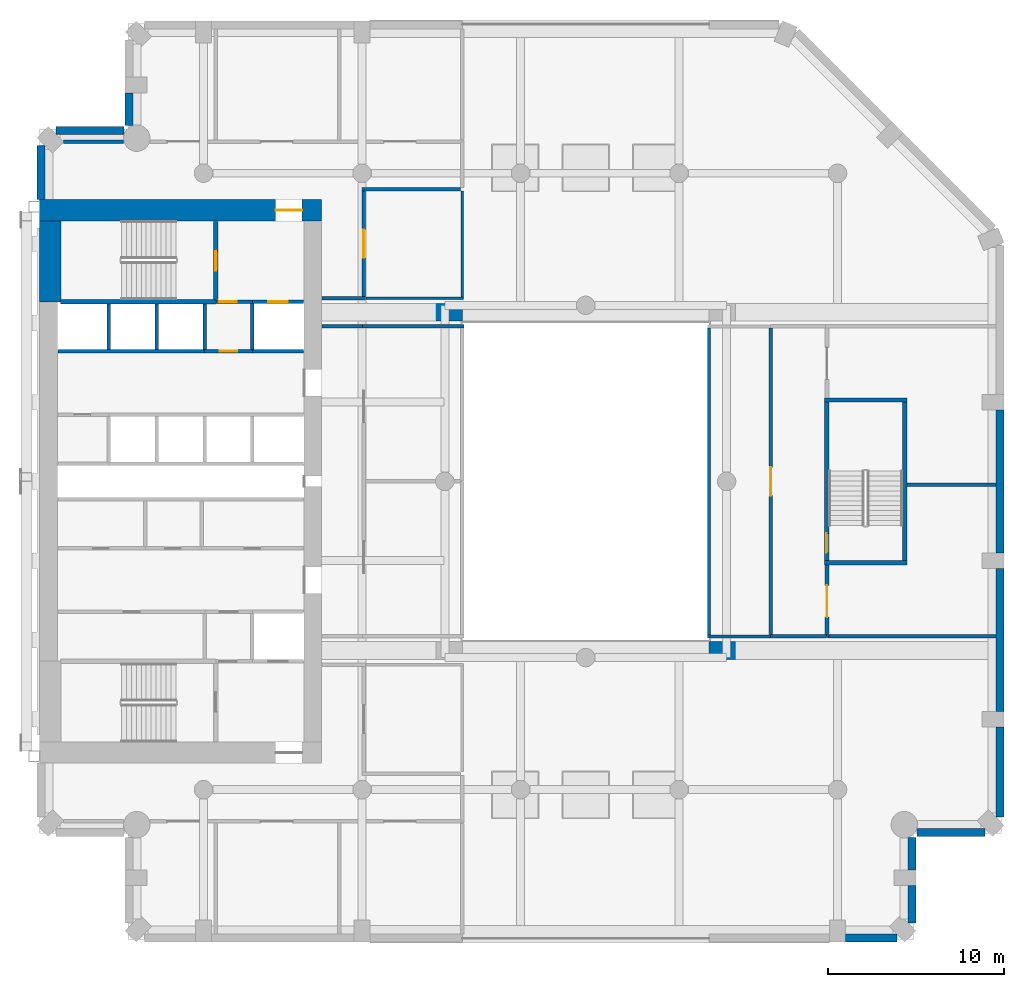
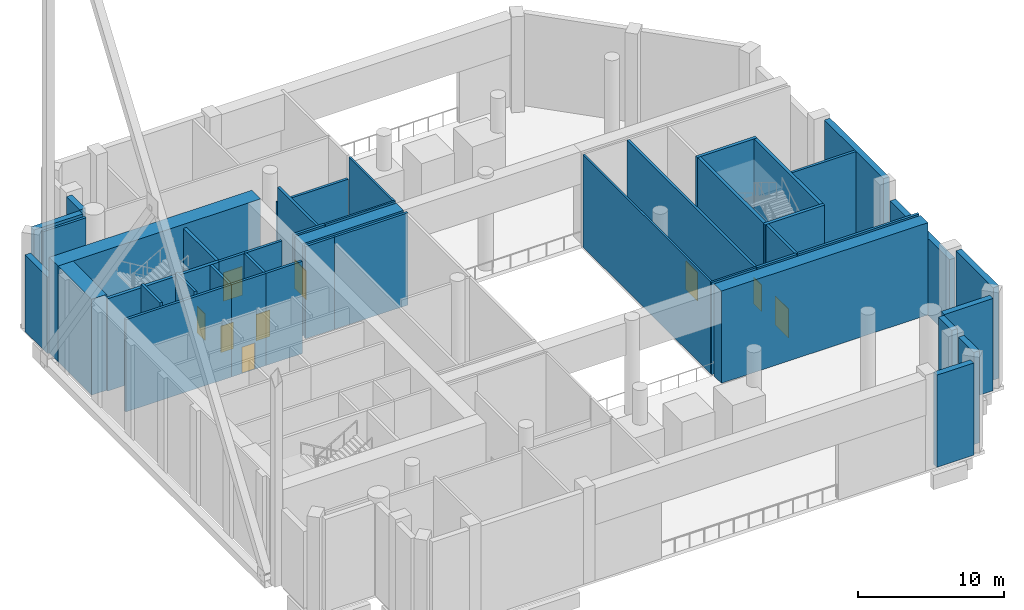
# One storey, part 4 of 14: 44 walls, 9 doors, 9 openings.
"""IFC4 building model written with IfcOpenShell, lengths in metres."""

from ifc_helpers import new_model, si_unit, direction, frame, frame_2d, origin, place, context, subcontext, project, spatial, rectangle, extrude, material, layer, layer_set, type_object, element, fill, save


model = new_model("IFC4")

# Units and contexts
model_context = context("Model", 3, precision=1e-05, world=origin(), true_north=direction((0.0, 1.0)))
body_context = subcontext(model_context, "Body", "Model", "MODEL_VIEW")
ifc_project = project(units=[si_unit("LENGTHUNIT", "METRE"), si_unit("AREAUNIT", "SQUARE_METRE"), si_unit("VOLUMEUNIT", "CUBIC_METRE"), si_unit("PLANEANGLEUNIT", "RADIAN"), si_unit("MASSUNIT", "GRAM", prefix="KILO")], contexts=[model_context])

# Site, building, storey
site_placement = place(None, origin())
site = spatial("IfcSite", under=ifc_project, at=site_placement, CompositionType="ELEMENT")
building_placement = place(site_placement, origin())
building = spatial("IfcBuilding", under=site, at=building_placement, Name="Cypress Arch Tower", CompositionType="ELEMENT")
storey_placement = place(building_placement, frame((0.0, 0.0, 152.5)))
storey = spatial("IfcBuildingStorey", under=building, at=storey_placement, Name="L33", CompositionType="ELEMENT", Elevation=152.5)

# Walls
ifc_material_1 = material(Name="Brick (red buff blend)", Category="masonry")
ifc_layer_1 = layer(ifc_material_1, 0.449951171875)
ifc_layer_set_1 = layer_set([ifc_layer_1], Name="Brick belt wall BW450-B")
wall_type_1 = type_object("IfcWallType", Name="Brick belt wall BW450-B", PredefinedType="SOLIDWALL", material=ifc_layer_set_1)
wall_1_placement = place(storey_placement, frame((-29.925048828125, 19.063720703125, 0.0), z_axis=(0.0, 0.0, 1.0), x_axis=(0.0, -1.0, 0.0)))
element("IfcWall", 1, at=wall_1_placement, inside=storey, type_object=wall_type_1, Name="Brick wall L33 A00.0", PredefinedType="SOLIDWALL", context=body_context, shape_type="SweptSolid", body=[
    extrude(rectangle(XDim=3.063720703125, YDim=0.449951171875, at=frame_2d((1.53173828125, 0.0))), origin(), (0.0, 0.0, 1.0), 6.39990234375),
])
wall_2_placement = place(storey_placement, frame((15.75, -25.925048828125, 0.0), z_axis=(0.0, 0.0, 1.0), x_axis=(1.0, 0.0, 0.0)))
element("IfcWall", 2, at=wall_2_placement, inside=storey, type_object=wall_type_1, Name="Brick wall L33 A03.5", PredefinedType="SOLIDWALL", context=body_context, shape_type="SweptSolid", body=[
    extrude(rectangle(XDim=2.91357421875, YDim=0.449951171875, at=frame_2d((1.456787109375, 0.0))), origin(), (0.0, 0.0, 1.0), 7.699951171875),
])
wall_3_placement = place(storey_placement, frame((19.52490234375, -25.063720703125, 0.0), z_axis=(0.0, 0.0, 1.0), x_axis=(0.0, 1.0, 0.0)))
element("IfcWall", 3, at=wall_3_placement, inside=storey, type_object=wall_type_1, Name="Brick wall L33 A04.0", PredefinedType="SOLIDWALL", context=body_context, shape_type="SweptSolid", body=[
    extrude(rectangle(XDim=2.11376953125, YDim=0.449951171875, at=frame_2d((1.056884765625, 0.0))), origin(), (0.0, 0.0, 1.0), 7.699951171875),
])
wall_4_placement = place(storey_placement, frame((19.52490234375, -22.050048828125, 0.0), z_axis=(0.0, 0.0, 1.0), x_axis=(0.0, 1.0, 0.0)))
element("IfcWall", 4, at=wall_4_placement, inside=storey, type_object=wall_type_1, Name="Brick wall L33 A04.1", PredefinedType="SOLIDWALL", context=body_context, shape_type="SweptSolid", body=[
    extrude(rectangle(XDim=1.843017578125, YDim=0.449951171875, at=frame_2d((0.92138671875, 0.0))), origin(), (0.0, 0.0, 1.0), 7.699951171875),
])
wall_5_placement = place(storey_placement, frame((19.806884765625, -19.925048828125, 0.0), z_axis=(0.0, 0.0, 1.0), x_axis=(1.0, 0.0, 0.0)))
element("IfcWall", 5, at=wall_5_placement, inside=storey, type_object=wall_type_1, Name="Brick wall L33 A05.0", PredefinedType="SOLIDWALL", context=body_context, shape_type="SweptSolid", body=[
    extrude(rectangle(XDim=3.856689453125, YDim=0.449951171875, at=frame_2d((1.92822265625, 0.0))), origin(), (0.0, 0.0, 1.0), 7.699951171875),
])
wall_6_placement = place(storey_placement, frame((24.52490234375, -19.063720703125, 0.0), z_axis=(0.0, 0.0, 1.0), x_axis=(0.0, 1.0, 0.0)))
element("IfcWall", 6, at=wall_6_placement, inside=storey, type_object=wall_type_1, Name="Brick wall L33 A06.0", PredefinedType="SOLIDWALL", context=body_context, shape_type="SweptSolid", body=[
    extrude(rectangle(XDim=5.11376953125, YDim=0.449951171875, at=frame_2d((2.556884765625, 0.0))), origin(), (0.0, 0.0, 1.0), 7.699951171875),
])
wall_7_placement = place(storey_placement, frame((24.52490234375, -13.050048828125, 0.0), z_axis=(0.0, 0.0, 1.0), x_axis=(0.0, 1.0, 0.0)))
element("IfcWall", 7, at=wall_7_placement, inside=storey, type_object=wall_type_1, Name="Brick wall L33 A06.1", PredefinedType="SOLIDWALL", context=body_context, shape_type="SweptSolid", body=[
    extrude(rectangle(XDim=8.10009765625, YDim=0.449951171875, at=frame_2d((4.050048828125, 0.0))), origin(), (0.0, 0.0, 1.0), 6.39990234375),
])
wall_8_placement = place(storey_placement, frame((24.52490234375, -4.050048828125, 0.0), z_axis=(0.0, 0.0, 1.0), x_axis=(0.0, 1.0, 0.0)))
element("IfcWall", 8, at=wall_8_placement, inside=storey, type_object=wall_type_1, Name="Brick wall L33 A06.2", PredefinedType="SOLIDWALL", context=body_context, shape_type="SweptSolid", body=[
    extrude(rectangle(XDim=8.10009765625, YDim=0.449951171875, at=frame_2d((4.050048828125, 0.0))), origin(), (0.0, 0.0, 1.0), 7.699951171875),
])
wall_9_placement = place(storey_placement, frame((-24.925048828125, 22.050048828125, 0.0), z_axis=(0.0, 0.0, 1.0), x_axis=(0.0, -1.0, 0.0)))
element("IfcWall", 9, at=wall_9_placement, inside=storey, type_object=wall_type_1, Name="Brick wall L33 A09.1", PredefinedType="SOLIDWALL", context=body_context, shape_type="SweptSolid", body=[
    extrude(rectangle(XDim=1.843017578125, YDim=0.449951171875, at=frame_2d((0.92138671875, 0.0))), origin(), (0.0, 0.0, 1.0), 7.699951171875),
])
wall_10_placement = place(storey_placement, frame((-25.20703125, 19.925048828125, 0.0), z_axis=(0.0, 0.0, 1.0), x_axis=(-1.0, 0.0, 0.0)))
element("IfcWall", 10, at=wall_10_placement, inside=storey, type_object=wall_type_1, Name="Brick wall L33 A10.0", PredefinedType="SOLIDWALL", context=body_context, shape_type="SweptSolid", body=[
    extrude(rectangle(XDim=3.856689453125, YDim=0.449951171875, at=frame_2d((1.92822265625, 0.0))), origin(), (0.0, 0.0, 1.0), 7.699951171875),
])

# Wall, opening, door
ifc_material_2 = material(Name="Concrete C80/95", Category="concrete")
ifc_layer_2 = layer(ifc_material_2, 1.199951171875)
ifc_layer_set_2 = layer_set([ifc_layer_2], Name="Core wall CW1200 C80/95")
wall_type_2 = type_object("IfcWallType", Name="Core wall CW1200 C80/95", PredefinedType="SHEAR", material=ifc_layer_set_2)
wall_11_placement = place(storey_placement, frame((-30.0, 15.39990234375, 0.0), z_axis=(0.0, 0.0, 1.0), x_axis=(1.0, 0.0, 0.0)))
wall_11 = element("IfcWall", 11, at=wall_11_placement, inside=storey, type_object=wall_type_2, Name="Core wall", PredefinedType="SHEAR", context=body_context, shape_type="SweptSolid", body=[
    extrude(rectangle(XDim=16.0, YDim=1.199951171875, at=frame_2d((8.0, 0.0))), origin(), (0.0, 0.0, 1.0), 8.0),
])
opening_1_placement = place(wall_11_placement, frame((13.39990234375, 0.0, 0.0)))
opening_1 = element("IfcOpeningElement", 12, at=opening_1_placement, cuts=wall_11, Name="Opening D07", PredefinedType="OPENING", context=body_context, shape_type="SweptSolid", body=[
    extrude(rectangle(XDim=1.5, YDim=2.39990234375, at=frame_2d((0.75, 1.199951171875))), frame((0.0, 0.60986328125, 0.0), z_axis=(0.0, -1.0, 0.0), x_axis=(1.0, 0.0, 0.0)), (0.0, 0.0, 1.0), 1.219970703125),
])
ifc_material_3 = material(Name="Steel framed glazed door, fire resisting", Category="steel")
door_type_1 = type_object("IfcDoorType", Name="Lobby door D07 1500x2400", OperationType="DOUBLE_DOOR_SINGLE_SWING", PredefinedType="DOOR", material=ifc_material_3)
door_1_placement = place(opening_1_placement, origin())
door_1 = element("IfcDoor", 13, at=door_1_placement, inside=storey, type_object=door_type_1, Name="Lobby door", OperationType="DOUBLE_DOOR_SINGLE_SWING", OverallHeight=2.39990234375, OverallWidth=1.5, PredefinedType="DOOR", context=body_context, shape_type="SweptSolid", body=[
    extrude(rectangle(XDim=1.5, YDim=2.39990234375, at=frame_2d((0.75, 1.199951171875))), frame((0.0, 0.02490234375, 0.0), z_axis=(0.0, -1.0, 0.0), x_axis=(1.0, 0.0, 0.0)), (0.0, 0.0, 1.0), 0.050048828125),
])
fill(opening_1, door_1)

# Wall
wall_12_placement = place(storey_placement, frame((-29.39990234375, 10.199951171875, 0.0), z_axis=(0.0, 0.0, 1.0), x_axis=(0.0, 1.0, 0.0)))
element("IfcWall", 14, at=wall_12_placement, inside=storey, type_object=wall_type_2, Name="Core wall", PredefinedType="SHEAR", context=body_context, shape_type="SweptSolid", body=[
    extrude(rectangle(XDim=4.60009765625, YDim=1.199951171875, at=frame_2d((2.300048828125, 0.0))), origin(), (0.0, 0.0, 1.0), 8.0),
])

# Wall, opening, door
ifc_material_4 = material(Name="Concrete blockwork, plastered, rated", Category="masonry")
ifc_layer_3 = layer(ifc_material_4, 0.199951171875)
ifc_layer_set_3 = layer_set([ifc_layer_3], Name="Corridor wall FW200")
wall_type_3 = type_object("IfcWallType", Name="Corridor wall FW200", PredefinedType="PARTITIONING", material=ifc_layer_set_3)
wall_13_placement = place(storey_placement, frame((-20.639892578125, 7.39990234375, 0.0), z_axis=(0.0, 0.0, 1.0), x_axis=(1.0, 0.0, 0.0)))
wall_13 = element("IfcWall", 15, at=wall_13_placement, inside=storey, type_object=wall_type_3, Name="Corridor wall", PredefinedType="PARTITIONING", context=body_context, shape_type="SweptSolid", body=[
    extrude(rectangle(XDim=2.719970703125, YDim=0.199951171875, at=frame_2d((1.35986328125, 0.0))), origin(), (0.0, 0.0, 1.0), 7.699951171875),
])
opening_2_placement = place(wall_13_placement, frame((0.85009765625, 0.0, 0.0)))
opening_2 = element("IfcOpeningElement", 16, at=opening_2_placement, cuts=wall_13, Name="Opening D16", PredefinedType="OPENING", context=body_context, shape_type="SweptSolid", body=[
    extrude(rectangle(XDim=1.0, YDim=2.199951171875, at=frame_2d((0.5, 1.10009765625))), frame((0.0, 0.10986328125, 0.0), z_axis=(0.0, -1.0, 0.0), x_axis=(1.0, 0.0, 0.0)), (0.0, 0.0, 1.0), 0.219970703125),
])
ifc_material_5 = material(Name="Timber flush door", Category="wood")
door_type_2 = type_object("IfcDoorType", Name="Service door D16 1000x2200", OperationType="SINGLE_SWING_LEFT", PredefinedType="DOOR", material=ifc_material_5)
door_2_placement = place(opening_2_placement, origin())
door_2 = element("IfcDoor", 17, at=door_2_placement, inside=storey, type_object=door_type_2, Name="Service door", OperationType="SINGLE_SWING_RIGHT", OverallHeight=2.199951171875, OverallWidth=1.0, PredefinedType="DOOR", context=body_context, shape_type="SweptSolid", body=[
    extrude(rectangle(XDim=1.0, YDim=2.199951171875, at=frame_2d((0.5, 1.10009765625))), frame((0.0, 0.02490234375, 0.0), z_axis=(0.0, -1.0, 0.0), x_axis=(1.0, 0.0, 0.0)), (0.0, 0.0, 1.0), 0.050048828125),
])
fill(opening_2, door_2)

wall_14_placement = place(storey_placement, frame((-20.0, 10.199951171875, 0.0), z_axis=(0.0, 0.0, 1.0), x_axis=(1.0, 0.0, 0.0)))
wall_14 = element("IfcWall", 18, at=wall_14_placement, inside=storey, type_object=wall_type_3, Name="Corridor wall", PredefinedType="PARTITIONING", context=body_context, shape_type="SweptSolid", body=[
    extrude(rectangle(XDim=2.080078125, YDim=0.199951171875, at=frame_2d((1.0400390625, 0.0))), origin(), (0.0, 0.0, 1.0), 7.699951171875),
])
opening_3_placement = place(wall_14_placement, frame((0.199951171875, 0.0, 0.0)))
opening_3 = element("IfcOpeningElement", 19, at=opening_3_placement, cuts=wall_14, Name="Opening D16", PredefinedType="OPENING", context=body_context, shape_type="SweptSolid", body=[
    extrude(rectangle(XDim=1.0, YDim=2.199951171875, at=frame_2d((0.5, 1.10009765625))), frame((0.0, 0.10986328125, 0.0), z_axis=(0.0, -1.0, 0.0), x_axis=(1.0, 0.0, 0.0)), (0.0, 0.0, 1.0), 0.219970703125),
])
door_3_placement = place(opening_3_placement, origin())
door_3 = element("IfcDoor", 20, at=door_3_placement, inside=storey, type_object=door_type_2, Name="Service door", OperationType="SINGLE_SWING_LEFT", OverallHeight=2.199951171875, OverallWidth=1.0, PredefinedType="DOOR", context=body_context, shape_type="SweptSolid", body=[
    extrude(rectangle(XDim=1.0, YDim=2.199951171875, at=frame_2d((0.5, 1.10009765625))), frame((0.0, 0.02490234375, 0.0), z_axis=(0.0, -1.0, 0.0), x_axis=(1.0, 0.0, 0.0)), (0.0, 0.0, 1.0), 0.050048828125),
])
fill(opening_3, door_3)

# Walls
wall_15_placement = place(storey_placement, frame((-13.969970703125, 8.800048828125, 0.0), z_axis=(0.0, 0.0, 1.0), x_axis=(1.0, 0.0, 0.0)))
element("IfcWall", 21, at=wall_15_placement, inside=storey, type_object=wall_type_3, Name="Corridor wall", PredefinedType="PARTITIONING", context=body_context, shape_type="SweptSolid", body=[
    extrude(rectangle(XDim=2.2900390625, YDim=0.199951171875, at=frame_2d((1.14501953125, 0.0))), origin(), (0.0, 0.0, 1.0), 7.699951171875),
])
wall_16_placement = place(storey_placement, frame((-13.969970703125, 10.39990234375, 0.0), z_axis=(0.0, 0.0, 1.0), x_axis=(1.0, 0.0, 0.0)))
element("IfcWall", 22, at=wall_16_placement, inside=storey, type_object=wall_type_3, Name="Corridor wall", PredefinedType="PARTITIONING", context=body_context, shape_type="SweptSolid", body=[
    extrude(rectangle(XDim=2.469970703125, YDim=0.199951171875, at=frame_2d((1.23486328125, 0.0))), origin(), (0.0, 0.0, 1.0), 7.699951171875),
])

# Wall, opening, door
wall_17_placement = place(storey_placement, frame((-11.60009765625, 10.5, 0.0), z_axis=(0.0, 0.0, 1.0), x_axis=(0.0, 1.0, 0.0)))
wall_17 = element("IfcWall", 23, at=wall_17_placement, inside=storey, type_object=wall_type_3, Name="Corridor wall", PredefinedType="PARTITIONING", context=body_context, shape_type="SweptSolid", body=[
    extrude(rectangle(XDim=5.9990234375, YDim=0.199951171875, at=frame_2d((2.99951171875, 0.0))), origin(), (0.0, 0.0, 1.0), 7.14990234375),
])
opening_4_placement = place(wall_17_placement, frame((2.199951171875, 0.0, 0.0)))
opening_4 = element("IfcOpeningElement", 24, at=opening_4_placement, cuts=wall_17, Name="Opening D10", PredefinedType="OPENING", context=body_context, shape_type="SweptSolid", body=[
    extrude(rectangle(XDim=1.60009765625, YDim=2.39990234375, at=frame_2d((0.800048828125, 1.199951171875))), frame((0.0, 0.10986328125, 0.0), z_axis=(0.0, -1.0, 0.0), x_axis=(1.0, 0.0, 0.0)), (0.0, 0.0, 1.0), 0.219970703125),
])
ifc_material_6 = material(Name="Black aluminium glazed door", Category="aluminium")
door_type_3 = type_object("IfcDoorType", Name="Amenity door D10 1600x2400", OperationType="DOUBLE_DOOR_SINGLE_SWING", PredefinedType="DOOR", material=ifc_material_6)
door_4_placement = place(opening_4_placement, origin())
door_4 = element("IfcDoor", 25, at=door_4_placement, inside=storey, type_object=door_type_3, Name="Amenity door", OperationType="DOUBLE_DOOR_SINGLE_SWING", OverallHeight=2.39990234375, OverallWidth=1.60009765625, PredefinedType="DOOR", context=body_context, shape_type="SweptSolid", body=[
    extrude(rectangle(XDim=1.60009765625, YDim=2.39990234375, at=frame_2d((0.800048828125, 1.199951171875))), frame((0.0, 0.02490234375, 0.0), z_axis=(0.0, -1.0, 0.0), x_axis=(1.0, 0.0, 0.0)), (0.0, 0.0, 1.0), 0.050048828125),
])
fill(opening_4, door_4)

# Wall
wall_18_placement = place(storey_placement, frame((-11.698974609375, 16.60009765625, 0.0), z_axis=(0.0, 0.0, 1.0), x_axis=(1.0, 0.0, 0.0)))
element("IfcWall", 26, at=wall_18_placement, inside=storey, type_object=wall_type_3, Name="Corridor wall", PredefinedType="PARTITIONING", context=body_context, shape_type="SweptSolid", body=[
    extrude(rectangle(XDim=5.598876953125, YDim=0.199951171875, at=frame_2d((2.79931640625, 0.0))), origin(), (0.0, 0.0, 1.0), 5.85009765625),
])

# Wall, opening, door
wall_19_placement = place(storey_placement, frame((11.5, -8.699951171875, 0.0), z_axis=(0.0, 0.0, 1.0), x_axis=(0.0, 1.0, 0.0)))
wall_19 = element("IfcWall", 27, at=wall_19_placement, inside=storey, type_object=wall_type_3, Name="Corridor wall", PredefinedType="PARTITIONING", context=body_context, shape_type="SweptSolid", body=[
    extrude(rectangle(XDim=17.39990234375, YDim=0.199951171875, at=frame_2d((8.699951171875, 0.0))), origin(), (0.0, 0.0, 1.0), 7.699951171875),
])
opening_5_placement = place(wall_19_placement, frame((7.89990234375, 0.0, 0.0)))
opening_5 = element("IfcOpeningElement", 28, at=opening_5_placement, cuts=wall_19, Name="Opening D10", PredefinedType="OPENING", context=body_context, shape_type="SweptSolid", body=[
    extrude(rectangle(XDim=1.60009765625, YDim=2.39990234375, at=frame_2d((0.800048828125, 1.199951171875))), frame((0.0, 0.10986328125, 0.0), z_axis=(0.0, -1.0, 0.0), x_axis=(1.0, 0.0, 0.0)), (0.0, 0.0, 1.0), 0.219970703125),
])
door_5_placement = place(opening_5_placement, origin())
door_5 = element("IfcDoor", 29, at=door_5_placement, inside=storey, type_object=door_type_3, Name="Amenity door", OperationType="DOUBLE_DOOR_SINGLE_SWING", OverallHeight=2.39990234375, OverallWidth=1.60009765625, PredefinedType="DOOR", context=body_context, shape_type="SweptSolid", body=[
    extrude(rectangle(XDim=1.60009765625, YDim=2.39990234375, at=frame_2d((0.800048828125, 1.199951171875))), frame((0.0, 0.02490234375, 0.0), z_axis=(0.0, -1.0, 0.0), x_axis=(1.0, 0.0, 0.0)), (0.0, 0.0, 1.0), 0.050048828125),
])
fill(opening_5, door_5)

# Walls
wall_20_placement = place(storey_placement, frame((11.5, -8.800048828125, 0.0), z_axis=(0.0, 0.0, 1.0), x_axis=(1.0, 0.0, 0.0)))
element("IfcWall", 30, at=wall_20_placement, inside=storey, type_object=wall_type_3, Name="Corridor wall", PredefinedType="PARTITIONING", context=body_context, shape_type="SweptSolid", body=[
    extrude(rectangle(XDim=3.179931640625, YDim=0.199951171875, at=frame_2d((1.58984375, 0.0))), origin(), (0.0, 0.0, 1.0), 7.699951171875),
])
ifc_material_7 = material(Name="Concrete C80/95", Category="concrete")
ifc_layer_4 = layer(ifc_material_7, 1.0)
ifc_layer_set_4 = layer_set([ifc_layer_4], Name="Outrigger wall 1000 Concrete C80/95")
wall_type_4 = type_object("IfcWallType", Name="Outrigger wall 1000 Concrete C80/95", PredefinedType="SOLIDWALL", material=ifc_layer_set_4)
wall_21_placement = place(storey_placement, frame((8.0, -9.60009765625, 0.0), z_axis=(0.0, 0.0, 1.0), x_axis=(1.0, 0.0, 0.0)))
element("IfcWall", 31, at=wall_21_placement, inside=storey, type_object=wall_type_4, Name="Outrigger wall L33 SE", PredefinedType="SOLIDWALL", context=body_context, shape_type="SweptSolid", body=[
    extrude(rectangle(XDim=16.300048828125, YDim=1.0, at=frame_2d((8.14990234375, 0.0))), origin(), (0.0, 0.0, 1.0), 7.699951171875),
])
wall_22_placement = place(storey_placement, frame((-14.0, 9.60009765625, 0.0), z_axis=(0.0, 0.0, 1.0), x_axis=(1.0, 0.0, 0.0)))
element("IfcWall", 32, at=wall_22_placement, inside=storey, type_object=wall_type_4, Name="Outrigger wall L33 NW", PredefinedType="SOLIDWALL", context=body_context, shape_type="SweptSolid", body=[
    extrude(rectangle(XDim=8.0, YDim=1.0, at=frame_2d((4.0, 0.0))), origin(), (0.0, 0.0, 1.0), 7.699951171875),
])
ifc_material_8 = material(Name="Blockwork, plastered both sides", Category="masonry")
ifc_layer_5 = layer(ifc_material_8, 0.14990234375)
ifc_layer_set_5 = layer_set([ifc_layer_5], Name="Partition PW150")
wall_type_5 = type_object("IfcWallType", Name="Partition PW150", PredefinedType="PARTITIONING", material=ifc_layer_set_5)
wall_23_placement = place(storey_placement, frame((-11.47998046875, 10.39990234375, 0.0), z_axis=(0.0, 0.0, 1.0), x_axis=(1.0, 0.0, 0.0)))
element("IfcWall", 33, at=wall_23_placement, inside=storey, type_object=wall_type_5, Name="Partition", PredefinedType="PARTITIONING", context=body_context, shape_type="SweptSolid", body=[
    extrude(rectangle(XDim=5.554931640625, YDim=0.14990234375, at=frame_2d((2.77734375, 0.0))), origin(), (0.0, 0.0, 1.0), 7.699951171875),
])
wall_24_placement = place(storey_placement, frame((-6.0, 10.47509765625, 0.0), z_axis=(0.0, 0.0, 1.0), x_axis=(0.0, 1.0, 0.0)))
element("IfcWall", 34, at=wall_24_placement, inside=storey, type_object=wall_type_5, Name="Partition", PredefinedType="PARTITIONING", context=body_context, shape_type="SweptSolid", body=[
    extrude(rectangle(XDim=6.0048828125, YDim=0.14990234375, at=frame_2d((3.00244140625, 0.0))), origin(), (0.0, 0.0, 1.0), 7.699951171875),
])
wall_25_placement = place(storey_placement, frame((8.0, -8.72509765625, 0.0), z_axis=(0.0, 0.0, 1.0), x_axis=(0.0, 1.0, 0.0)))
element("IfcWall", 35, at=wall_25_placement, inside=storey, type_object=wall_type_5, Name="Partition", PredefinedType="PARTITIONING", context=body_context, shape_type="SweptSolid", body=[
    extrude(rectangle(XDim=17.4501953125, YDim=0.14990234375, at=frame_2d((8.72509765625, 0.0))), origin(), (0.0, 0.0, 1.0), 7.699951171875),
])
wall_26_placement = place(storey_placement, frame((7.925048828125, -8.800048828125, 0.0), z_axis=(0.0, 0.0, 1.0), x_axis=(1.0, 0.0, 0.0)))
element("IfcWall", 36, at=wall_26_placement, inside=storey, type_object=wall_type_5, Name="Partition", PredefinedType="PARTITIONING", context=body_context, shape_type="SweptSolid", body=[
    extrude(rectangle(XDim=3.554931640625, YDim=0.14990234375, at=frame_2d((1.77734375, 0.0))), origin(), (0.0, 0.0, 1.0), 7.699951171875),
])
ifc_material_9 = material(Name="Reinforced blockwork, plastered, rated", Category="masonry")
ifc_layer_6 = layer(ifc_material_9, 0.199951171875)
ifc_layer_set_6 = layer_set([ifc_layer_6], Name="Plant and riser wall PL200")
wall_type_6 = type_object("IfcWallType", Name="Plant and riser wall PL200", PredefinedType="PARTITIONING", material=ifc_layer_set_6)
wall_27_placement = place(storey_placement, frame((-28.6435546875, 19.300048828125, 0.0), z_axis=(0.0, 0.0, 1.0), x_axis=(1.0, 0.0, 0.0)))
element("IfcWall", 37, at=wall_27_placement, inside=storey, type_object=wall_type_6, Name="Plant and riser wall", PredefinedType="PARTITIONING", context=body_context, shape_type="SweptSolid", body=[
    extrude(rectangle(XDim=3.41259765625, YDim=0.199951171875, at=frame_2d((1.706298828125, 0.0))), origin(), (0.0, 0.0, 1.0), 7.699951171875),
])
wall_28_placement = place(storey_placement, frame((-11.679931640625, 8.800048828125, 0.0), z_axis=(0.0, 0.0, 1.0), x_axis=(1.0, 0.0, 0.0)))
element("IfcWall", 38, at=wall_28_placement, inside=storey, type_object=wall_type_6, Name="Plant and riser wall", PredefinedType="PARTITIONING", context=body_context, shape_type="SweptSolid", body=[
    extrude(rectangle(XDim=5.780029296875, YDim=0.199951171875, at=frame_2d((2.89013671875, 0.0))), origin(), (0.0, 0.0, 1.0), 7.699951171875),
])

# Wall, opening, door
wall_29_placement = place(storey_placement, frame((14.699951171875, -8.800048828125, 0.0), z_axis=(0.0, 0.0, 1.0), x_axis=(0.0, 1.0, 0.0)))
wall_29 = element("IfcWall", 39, at=wall_29_placement, inside=storey, type_object=wall_type_6, Name="Plant and riser wall", PredefinedType="PARTITIONING", context=body_context, shape_type="SweptSolid", body=[
    extrude(rectangle(XDim=4.050048828125, YDim=0.199951171875, at=frame_2d((2.02490234375, 0.0))), origin(), (0.0, 0.0, 1.0), 7.699951171875),
])
opening_6_placement = place(wall_29_placement, frame((1.10009765625, 0.0, 0.0)))
opening_6 = element("IfcOpeningElement", 40, at=opening_6_placement, cuts=wall_29, Name="Opening D09", PredefinedType="OPENING", context=body_context, shape_type="SweptSolid", body=[
    extrude(rectangle(XDim=1.800048828125, YDim=2.39990234375, at=frame_2d((0.89990234375, 1.199951171875))), frame((0.0, 0.10986328125, 0.0), z_axis=(0.0, -1.0, 0.0), x_axis=(1.0, 0.0, 0.0)), (0.0, 0.0, 1.0), 0.219970703125),
])
ifc_material_10 = material(Name="Steel door, fire resisting", Category="steel")
door_type_4 = type_object("IfcDoorType", Name="Plant room door D09 1800x2400", OperationType="DOUBLE_DOOR_SINGLE_SWING", PredefinedType="DOOR", material=ifc_material_10)
door_6_placement = place(opening_6_placement, origin())
door_6 = element("IfcDoor", 41, at=door_6_placement, inside=storey, type_object=door_type_4, Name="Plant room door", OperationType="DOUBLE_DOOR_SINGLE_SWING", OverallHeight=2.39990234375, OverallWidth=1.800048828125, PredefinedType="DOOR", context=body_context, shape_type="SweptSolid", body=[
    extrude(rectangle(XDim=1.800048828125, YDim=2.39990234375, at=frame_2d((0.89990234375, 1.199951171875))), frame((0.0, 0.02490234375, 0.0), z_axis=(0.0, -1.0, 0.0), x_axis=(1.0, 0.0, 0.0)), (0.0, 0.0, 1.0), 0.050048828125),
])
fill(opening_6, door_6)

# Walls
wall_30_placement = place(storey_placement, frame((14.719970703125, -8.800048828125, 0.0), z_axis=(0.0, 0.0, 1.0), x_axis=(1.0, 0.0, 0.0)))
element("IfcWall", 42, at=wall_30_placement, inside=storey, type_object=wall_type_6, Name="Plant and riser wall", PredefinedType="PARTITIONING", context=body_context, shape_type="SweptSolid", body=[
    extrude(rectangle(XDim=9.580078125, YDim=0.199951171875, at=frame_2d((4.7900390625, 0.0))), origin(), (0.0, 0.0, 1.0), 7.699951171875),
])
wall_31_placement = place(storey_placement, frame((19.25, -0.199951171875, 0.0), z_axis=(0.0, 0.0, 1.0), x_axis=(1.0, 0.0, 0.0)))
element("IfcWall", 43, at=wall_31_placement, inside=storey, type_object=wall_type_6, Name="Plant and riser wall", PredefinedType="PARTITIONING", context=body_context, shape_type="SweptSolid", body=[
    extrude(rectangle(XDim=5.050048828125, YDim=0.199951171875, at=frame_2d((2.52490234375, 0.0))), origin(), (0.0, 0.0, 1.0), 7.699951171875),
])
ifc_material_11 = material(Name="Concrete C50/60", Category="concrete")
ifc_layer_7 = layer(ifc_material_11, 0.199951171875)
ifc_layer_set_7 = layer_set([ifc_layer_7], Name="Shaft wall SH200")
wall_type_7 = type_object("IfcWallType", Name="Shaft wall SH200", PredefinedType="SHEAR", material=ifc_layer_set_7)
wall_32_placement = place(storey_placement, frame((-28.969970703125, 7.39990234375, 0.0), z_axis=(0.0, 0.0, 1.0), x_axis=(1.0, 0.0, 0.0)))
element("IfcWall", 44, at=wall_32_placement, inside=storey, type_object=wall_type_7, Name="Shaft wall", PredefinedType="SHEAR", context=body_context, shape_type="SweptSolid", body=[
    extrude(rectangle(XDim=8.330078125, YDim=0.199951171875, at=frame_2d((4.1650390625, 0.0))), origin(), (0.0, 0.0, 1.0), 7.699951171875),
])
for number, where, z_axis, x_axis, name in (
    (45, (-26.080078125, 7.5, 0.0), (0.0, 0.0, 1.0), (0.0, 1.0, 0.0), "Shaft wall"),
    (46, (-23.360107421875, 7.5, 0.0), (0.0, 0.0, 1.0), (0.0, 1.0, 0.0), "Shaft wall"),
):
    element("IfcWall", number, at=place(storey_placement, frame(where, z_axis=z_axis, x_axis=x_axis)), inside=storey, type_object=wall_type_7, Name=name, PredefinedType="SHEAR", context=body_context, shape_type="SweptSolid", body=[
        extrude(rectangle(XDim=2.574951171875, YDim=0.199951171875, at=frame_2d((1.28759765625, 0.0))), origin(), (0.0, 0.0, 1.0), 8.0),
    ])
wall_33_placement = place(storey_placement, frame((-20.639892578125, 7.5, 0.0), z_axis=(0.0, 0.0, 1.0), x_axis=(0.0, 1.0, 0.0)))
element("IfcWall", 47, at=wall_33_placement, inside=storey, type_object=wall_type_7, Name="Shaft wall", PredefinedType="SHEAR", context=body_context, shape_type="SweptSolid", body=[
    extrude(rectangle(XDim=2.574951171875, YDim=0.199951171875, at=frame_2d((1.28759765625, 0.0))), origin(), (0.0, 0.0, 1.0), 7.699951171875),
])
wall_34_placement = place(storey_placement, frame((-17.919921875, 7.5, 0.0), z_axis=(0.0, 0.0, 1.0), x_axis=(0.0, 1.0, 0.0)))
element("IfcWall", 48, at=wall_34_placement, inside=storey, type_object=wall_type_7, Name="Shaft wall", PredefinedType="SHEAR", context=body_context, shape_type="SweptSolid", body=[
    extrude(rectangle(XDim=2.60009765625, YDim=0.199951171875, at=frame_2d((1.300048828125, 0.0))), origin(), (0.0, 0.0, 1.0), 7.699951171875),
])
wall_35_placement = place(storey_placement, frame((-17.919921875, 7.39990234375, 0.0), z_axis=(0.0, 0.0, 1.0), x_axis=(1.0, 0.0, 0.0)))
element("IfcWall", 49, at=wall_35_placement, inside=storey, type_object=wall_type_7, Name="Shaft wall", PredefinedType="SHEAR", context=body_context, shape_type="SweptSolid", body=[
    extrude(rectangle(XDim=2.889892578125, YDim=0.199951171875, at=frame_2d((1.44482421875, 0.0))), origin(), (0.0, 0.0, 1.0), 7.699951171875),
])

# Wall, opening, door
wall_36_placement = place(storey_placement, frame((-17.919921875, 10.199951171875, 0.0), z_axis=(0.0, 0.0, 1.0), x_axis=(1.0, 0.0, 0.0)))
wall_36 = element("IfcWall", 50, at=wall_36_placement, inside=storey, type_object=wall_type_7, Name="Shaft wall", PredefinedType="SHEAR", context=body_context, shape_type="SweptSolid", body=[
    extrude(rectangle(XDim=2.889892578125, YDim=0.199951171875, at=frame_2d((1.44482421875, 0.0))), origin(), (0.0, 0.0, 1.0), 7.699951171875),
])
opening_7_placement = place(wall_36_placement, frame((0.89990234375, 0.0, 0.0)))
opening_7 = element("IfcOpeningElement", 51, at=opening_7_placement, cuts=wall_36, Name="Opening LD-FL2", PredefinedType="OPENING", context=body_context, shape_type="SweptSolid", body=[
    extrude(rectangle(XDim=1.10009765625, YDim=2.199951171875, at=frame_2d((0.550048828125, 1.10009765625))), frame((0.0, 0.10986328125, 0.0), z_axis=(0.0, -1.0, 0.0), x_axis=(1.0, 0.0, 0.0)), (0.0, 0.0, 1.0), 0.219970703125),
])
ifc_material_12 = material(Name="Stainless steel centre-opening landing door, rated", Category="steel")
door_type_5 = type_object("IfcDoorType", Name="Lift landing door LD 1100x2200", OperationType="DOUBLE_DOOR_SLIDING", PredefinedType="DOOR", material=ifc_material_12)
door_7_placement = place(opening_7_placement, origin())
door_7 = element("IfcDoor", 52, at=door_7_placement, inside=storey, type_object=door_type_5, Name="Lift landing doors FL2", OperationType="DOUBLE_DOOR_SLIDING", OverallHeight=2.199951171875, OverallWidth=1.10009765625, PredefinedType="DOOR", context=body_context, shape_type="SweptSolid", body=[
    extrude(rectangle(XDim=1.10009765625, YDim=2.199951171875, at=frame_2d((0.550048828125, 1.10009765625))), frame((0.0, 0.02490234375, 0.0), z_axis=(0.0, -1.0, 0.0), x_axis=(1.0, 0.0, 0.0)), (0.0, 0.0, 1.0), 0.050048828125),
])
fill(opening_7, door_7)

# Wall
ifc_material_13 = material(Name="Concrete C50/60", Category="concrete")
ifc_layer_8 = layer(ifc_material_13, 0.25)
ifc_layer_set_8 = layer_set([ifc_layer_8], Name="Stair enclosure wall SW250")
wall_type_8 = type_object("IfcWallType", Name="Stair enclosure wall SW250", PredefinedType="SHEAR", material=ifc_layer_set_8)
wall_37_placement = place(storey_placement, frame((-28.81005859375, 10.199951171875, 0.0), z_axis=(0.0, 0.0, 1.0), x_axis=(1.0, 0.0, 0.0)))
element("IfcWall", 53, at=wall_37_placement, inside=storey, type_object=wall_type_8, Name="Stair enclosure wall", PredefinedType="SHEAR", context=body_context, shape_type="SweptSolid", body=[
    extrude(rectangle(XDim=8.81005859375, YDim=0.25, at=frame_2d((4.405029296875, 0.0))), origin(), (0.0, 0.0, 1.0), 7.699951171875),
])

# Wall, opening, door
wall_38_placement = place(storey_placement, frame((-20.0, 10.324951171875, 0.0), z_axis=(0.0, 0.0, 1.0), x_axis=(0.0, 1.0, 0.0)))
wall_38 = element("IfcWall", 54, at=wall_38_placement, inside=storey, type_object=wall_type_8, Name="Stair enclosure wall", PredefinedType="SHEAR", context=body_context, shape_type="SweptSolid", body=[
    extrude(rectangle(XDim=4.445068359375, YDim=0.25, at=frame_2d((2.22265625, 0.0))), origin(), (0.0, 0.0, 1.0), 7.699951171875),
])
opening_8_placement = place(wall_38_placement, frame((1.64990234375, 0.0, 0.0)))
opening_8 = element("IfcOpeningElement", 55, at=opening_8_placement, cuts=wall_38, Name="Opening D06", PredefinedType="OPENING", context=body_context, shape_type="SweptSolid", body=[
    extrude(rectangle(XDim=1.10009765625, YDim=2.199951171875, at=frame_2d((0.550048828125, 1.10009765625))), frame((0.0, 0.135009765625, 0.0), z_axis=(0.0, -1.0, 0.0), x_axis=(1.0, 0.0, 0.0)), (0.0, 0.0, 1.0), 0.27001953125),
])
ifc_material_14 = material(Name="Steel door, fire resisting, panic bar", Category="steel")
door_type_6 = type_object("IfcDoorType", Name="Stair door D06 1100x2200", OperationType="SINGLE_SWING_LEFT", PredefinedType="DOOR", material=ifc_material_14)
door_8_placement = place(opening_8_placement, origin())
door_8 = element("IfcDoor", 56, at=door_8_placement, inside=storey, type_object=door_type_6, Name="Stair door", OperationType="SINGLE_SWING_LEFT", OverallHeight=2.199951171875, OverallWidth=1.10009765625, PredefinedType="DOOR", context=body_context, shape_type="SweptSolid", body=[
    extrude(rectangle(XDim=1.10009765625, YDim=2.199951171875, at=frame_2d((0.550048828125, 1.10009765625))), frame((0.0, 0.02490234375, 0.0), z_axis=(0.0, -1.0, 0.0), x_axis=(1.0, 0.0, 0.0)), (0.0, 0.0, 1.0), 0.050048828125),
])
fill(opening_8, door_8)

wall_39_placement = place(storey_placement, frame((14.675048828125, -4.5, 0.0), z_axis=(0.0, 0.0, 1.0), x_axis=(0.0, 1.0, 0.0)))
wall_39 = element("IfcWall", 57, at=wall_39_placement, inside=storey, type_object=wall_type_8, Name="Stair enclosure wall", PredefinedType="SHEAR", context=body_context, shape_type="SweptSolid", body=[
    extrude(rectangle(XDim=9.0, YDim=0.25, at=frame_2d((4.5, 0.0))), origin(), (0.0, 0.0, 1.0), 7.699951171875),
])
opening_9_placement = place(wall_39_placement, frame((0.449951171875, 0.0, 0.0)))
opening_9 = element("IfcOpeningElement", 58, at=opening_9_placement, cuts=wall_39, Name="Opening D06", PredefinedType="OPENING", context=body_context, shape_type="SweptSolid", body=[
    extrude(rectangle(XDim=1.10009765625, YDim=2.199951171875, at=frame_2d((0.550048828125, 1.10009765625))), frame((0.0, 0.135009765625, 0.0), z_axis=(0.0, -1.0, 0.0), x_axis=(1.0, 0.0, 0.0)), (0.0, 0.0, 1.0), 0.27001953125),
])
door_9_placement = place(opening_9_placement, origin())
door_9 = element("IfcDoor", 59, at=door_9_placement, inside=storey, type_object=door_type_6, Name="Stair door", OperationType="SINGLE_SWING_RIGHT", OverallHeight=2.199951171875, OverallWidth=1.10009765625, PredefinedType="DOOR", context=body_context, shape_type="SweptSolid", body=[
    extrude(rectangle(XDim=1.10009765625, YDim=2.199951171875, at=frame_2d((0.550048828125, 1.10009765625))), frame((0.0, 0.02490234375, 0.0), z_axis=(0.0, -1.0, 0.0), x_axis=(1.0, 0.0, 0.0)), (0.0, 0.0, 1.0), 0.050048828125),
])
fill(opening_9, door_9)

# Walls
for number, where, z_axis, x_axis, name in (
    (60, (14.550048828125, -4.625, 0.0), (0.0, 0.0, 1.0), (1.0, 0.0, 0.0), "Stair enclosure wall"),
    (61, (14.550048828125, 4.625, 0.0), (0.0, 0.0, 1.0), (1.0, 0.0, 0.0), "Stair enclosure wall"),
):
    element("IfcWall", number, at=place(storey_placement, frame(where, z_axis=z_axis, x_axis=x_axis)), inside=storey, type_object=wall_type_8, Name=name, PredefinedType="SHEAR", context=body_context, shape_type="SweptSolid", body=[
        extrude(rectangle(XDim=4.699951171875, YDim=0.25, at=frame_2d((2.35009765625, 0.0))), origin(), (0.0, 0.0, 1.0), 7.699951171875),
    ])
wall_40_placement = place(storey_placement, frame((19.125, -4.5, 0.0), z_axis=(0.0, 0.0, 1.0), x_axis=(0.0, 1.0, 0.0)))
element("IfcWall", 62, at=wall_40_placement, inside=storey, type_object=wall_type_8, Name="Stair enclosure wall", PredefinedType="SHEAR", context=body_context, shape_type="SweptSolid", body=[
    extrude(rectangle(XDim=9.0, YDim=0.25, at=frame_2d((4.5, 0.0))), origin(), (0.0, 0.0, 1.0), 7.699951171875),
])

save(model, "model.ifc")
